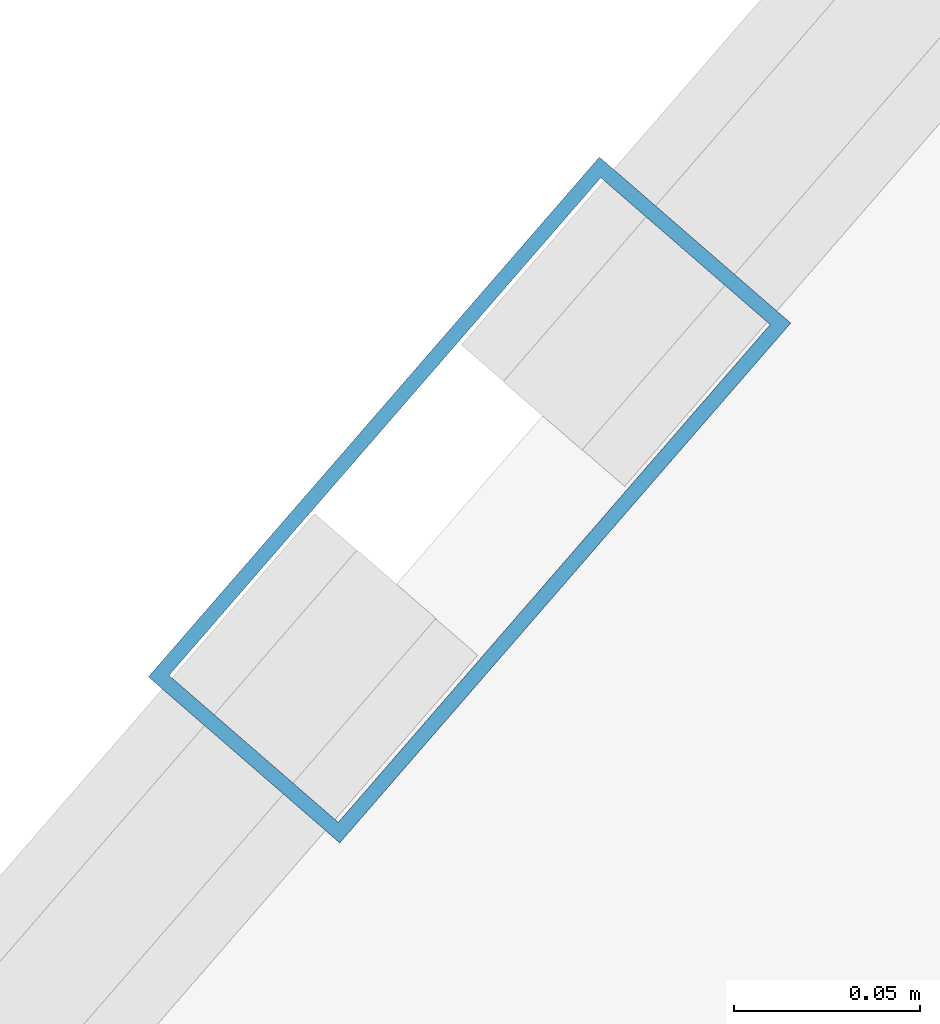
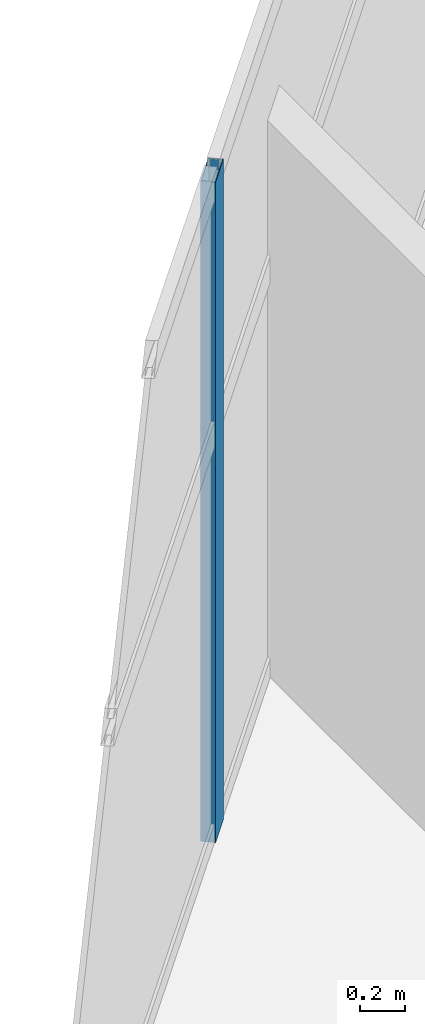
# One storey, part 12 of 28: 1 member, 1 element without a shape of its own.
"""IFC4 building model written with IfcOpenShell, lengths in metres."""

from ifc_helpers import new_model, si_unit, direction, frame, origin, origin_2d, place, context, subcontext, project, spatial, hollow_rectangle, extrude, material, layer, layer_set, material_profile, profile_set, type_object, element, aggregate, save


model = new_model("IFC4")

# Units and contexts
model_context = context("Model", 3, precision=1e-05, world=origin(), true_north=direction((0.0, 1.0)))
body_context = subcontext(model_context, "Body", "Model", "MODEL_VIEW")
ifc_project = project(units=[si_unit("LENGTHUNIT", "METRE"), si_unit("AREAUNIT", "SQUARE_METRE"), si_unit("VOLUMEUNIT", "CUBIC_METRE"), si_unit("PLANEANGLEUNIT", "RADIAN"), si_unit("MASSUNIT", "GRAM", prefix="KILO")], contexts=[model_context])

# Site, building, storey
site_placement = place(None, origin())
site = spatial("IfcSite", under=ifc_project, at=site_placement, CompositionType="ELEMENT")
building_placement = place(site_placement, origin())
building = spatial("IfcBuilding", under=site, at=building_placement, Name="Calvorn Quay Hotel", CompositionType="ELEMENT")
storey_placement = place(building_placement, frame((0.0, 0.0, 243.800048828125)))
storey = spatial("IfcBuildingStorey", under=building, at=storey_placement, Name="L60", CompositionType="ELEMENT", Elevation=243.800048828125)

# Curtain wall, member
ifc_material_1 = material(Name="Champagne Bronze Anodised Aluminium and Low-E Glass", Category="aluminium")
ifc_layer = layer(ifc_material_1, 0.219970703125)
ifc_layer_set = layer_set([ifc_layer], Name="CW-SYS-Z3")
curtain_wall_type = type_object("IfcCurtainWallType", Name="CW-SYS-Z3", PredefinedType="NOTDEFINED", material=ifc_layer_set)
curtain_wall_placement = place(storey_placement, origin())
curtain_wall = element("IfcCurtainWall", 1, at=curtain_wall_placement, inside=storey, type_object=curtain_wall_type, Name="Inner Court Curtain Wall L60-NE1", PredefinedType="NOTDEFINED")
ifc_material_2 = material(Name="Champagne Bronze Anodised Aluminium 6063-T6", Category="aluminium")
ifc_material_profile = material_profile(ifc_material_2, hollow_rectangle(XDim=0.068115234375, YDim=0.18505859375, WallThickness=0.00390625, at=origin_2d()), Name="ALU-M185x68x4")
ifc_profile_set = profile_set([ifc_material_profile], Name="Champagne Bronze Anodised Aluminium 6063-T6")
member_type = type_object("IfcMemberType", Name="CW-SYS-Z3-MUL", PredefinedType="MULLION", material=ifc_profile_set)
member_placement = place(storey_placement, frame((27.5, 31.199951171875, 0.0), z_axis=(0.0, 0.0, 1.0), x_axis=(0.755322467304, -0.655353317216, 0.0)))
member = element("IfcMember", 2, at=member_placement, type_object=member_type, Name="CW-L60-NE1 mullion 2", PredefinedType="MULLION", context=body_context, shape_type="SweptSolid", body=[
    extrude(hollow_rectangle(XDim=0.068115234375, YDim=0.18505859375, WallThickness=0.00390625, at=origin_2d()), origin(), (0.0, 0.0, 1.0), 3.56005859375),
])
aggregate(curtain_wall, [member])

save(model, "model.ifc")
